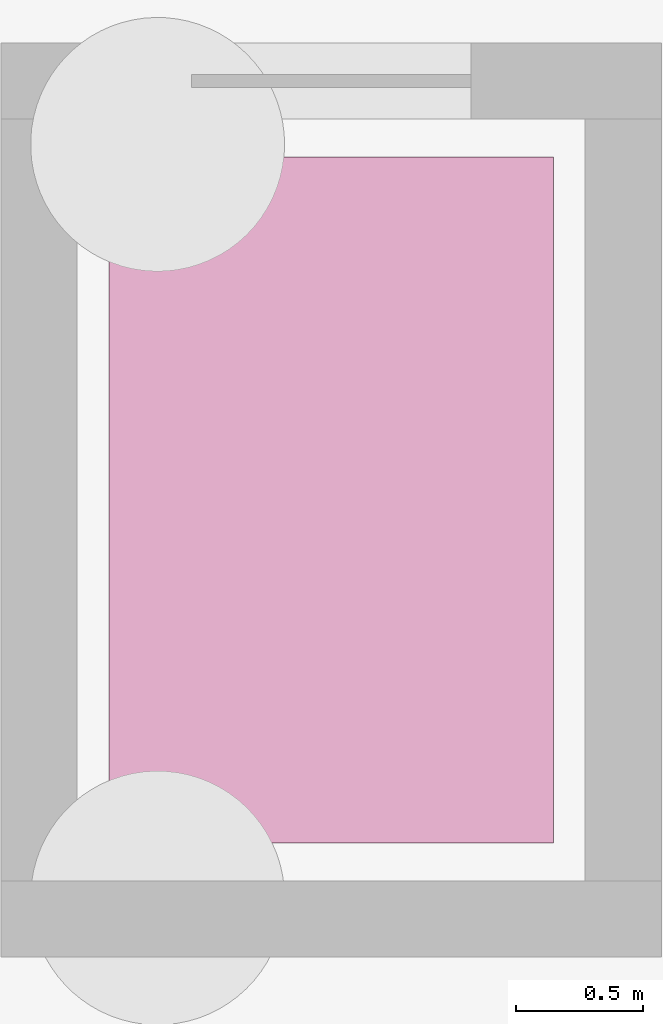
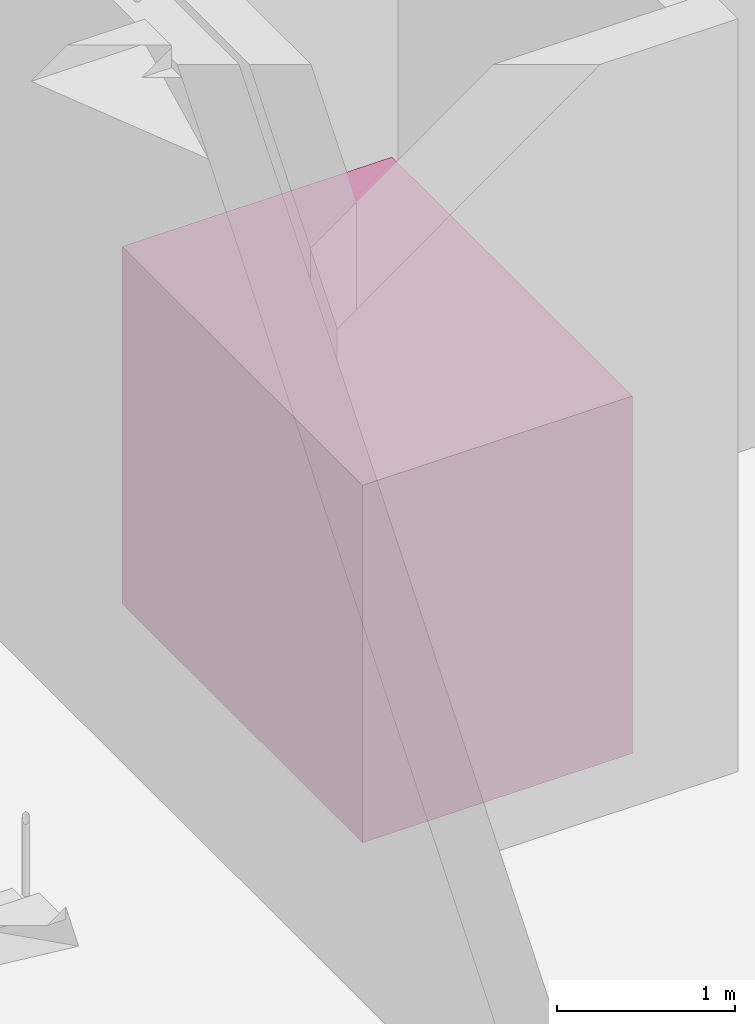
# One storey, part 76 of 76: 1 transport element.
"""IFC4 building model written with IfcOpenShell, lengths in metres."""

from ifc_helpers import new_model, si_unit, direction, frame, origin, origin_2d, place, context, subcontext, project, spatial, rectangle, extrude, material, type_object, element, save


model = new_model("IFC4")

# Units and contexts
model_context = context("Model", 3, precision=1e-05, world=origin(), true_north=direction((0.0, 1.0)))
body_context = subcontext(model_context, "Body", "Model", "MODEL_VIEW")
ifc_project = project(units=[si_unit("LENGTHUNIT", "METRE"), si_unit("AREAUNIT", "SQUARE_METRE"), si_unit("VOLUMEUNIT", "CUBIC_METRE"), si_unit("PLANEANGLEUNIT", "RADIAN"), si_unit("MASSUNIT", "GRAM", prefix="KILO")], contexts=[model_context])

# Site, building, storey
site_placement = place(None, origin())
site = spatial("IfcSite", under=ifc_project, at=site_placement, CompositionType="ELEMENT")
building_placement = place(site_placement, origin())
building = spatial("IfcBuilding", under=site, at=building_placement, Name="Bozkorgan Art Gallery", CompositionType="ELEMENT")
storey_placement = place(building_placement, origin())
storey = spatial("IfcBuildingStorey", under=building, at=storey_placement, Name="L00", CompositionType="ELEMENT", Elevation=0.0)

# Transport element
ifc_material = material(Name="Steel S355J2", Category="steel")
transport_element_type = type_object("IfcTransportElementType", Name="LIFT-PASS-01", PredefinedType="ELEVATOR", material=ifc_material)
transport_element_placement = place(storey_placement, frame((152.64990234375, 10.0, 0.0), z_axis=(0.0, 0.0, 1.0), x_axis=(1.0, 0.0, 0.0)))
element("IfcTransportElement", 1, at=transport_element_placement, inside=storey, type_object=transport_element_type, Name="PL4 Passenger Lift Car", PredefinedType="ELEVATOR", context=body_context, shape_type="SweptSolid", body=[
    extrude(rectangle(XDim=1.75, YDim=2.699951171875, at=origin_2d()), origin(), (0.0, 0.0, 1.0), 2.449951171875),
])

save(model, "model.ifc")
